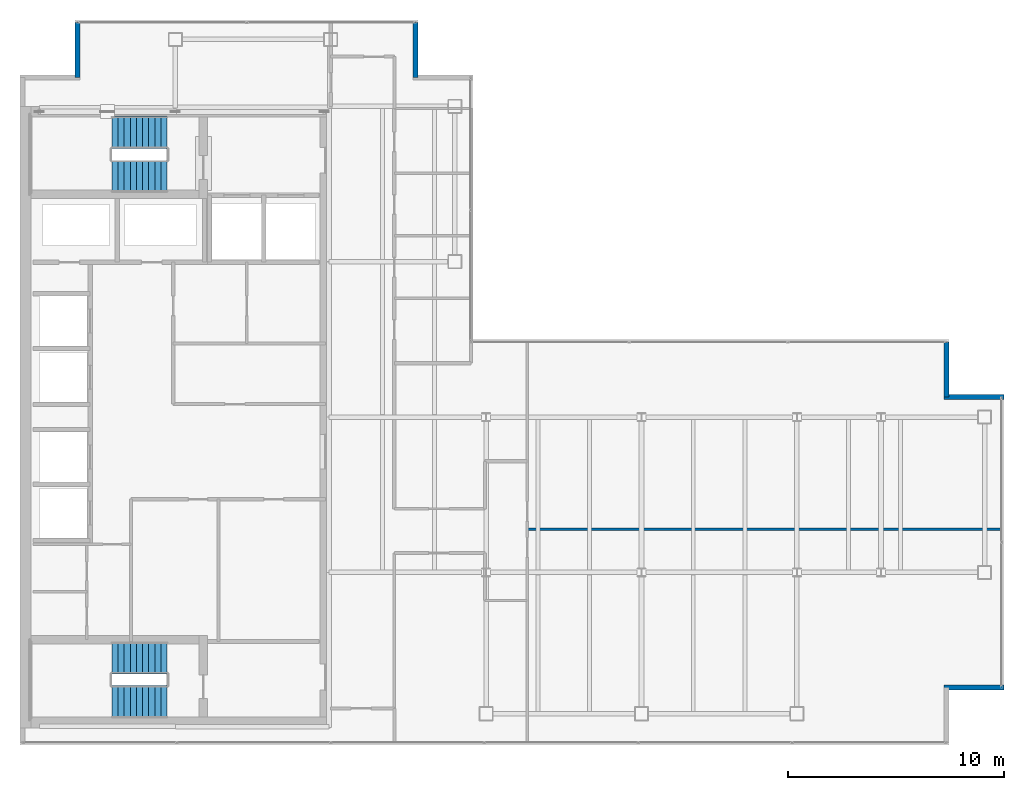
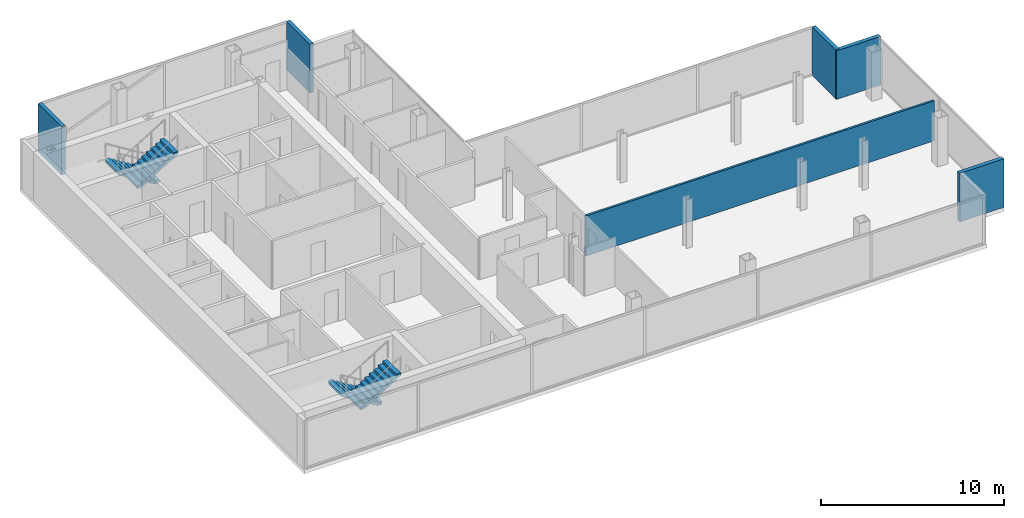
# One storey, part 22 of 23: 6 walls, 4 stair flights, 2 elements without a shape of their own.
"""IFC4 building model written with IfcOpenShell, lengths in metres."""

from ifc_helpers import new_model, si_unit, direction, frame, frame_2d, origin, place, context, subcontext, project, spatial, polyline, rectangle, outline, extrude, material, layer, layer_set, type_object, element, aggregate, save


model = new_model("IFC4")

# Units and contexts
model_context = context("Model", 3, precision=1e-05, world=origin(), true_north=direction((0.0, 1.0)))
body_context = subcontext(model_context, "Body", "Model", "MODEL_VIEW")
ifc_project = project(units=[si_unit("LENGTHUNIT", "METRE"), si_unit("AREAUNIT", "SQUARE_METRE"), si_unit("VOLUMEUNIT", "CUBIC_METRE"), si_unit("PLANEANGLEUNIT", "RADIAN"), si_unit("MASSUNIT", "GRAM", prefix="KILO")], contexts=[model_context])

# Site, building, storey
site_placement = place(None, origin())
site = spatial("IfcSite", under=ifc_project, at=site_placement, CompositionType="ELEMENT")
building_placement = place(site_placement, origin())
building = spatial("IfcBuilding", under=site, at=building_placement, Name="Cobrela Telecom Tower", CompositionType="ELEMENT")
storey_placement = place(building_placement, frame((0.0, 0.0, 258.64990234375)))
storey = spatial("IfcBuildingStorey", under=building, at=storey_placement, Name="L67", CompositionType="ELEMENT", Elevation=258.64990234375)

# Walls
ifc_material_1 = material(Name="Concrete C40/50", Category="concrete")
ifc_layer_1 = layer(ifc_material_1, 0.239990234375)
ifc_layer_set_1 = layer_set([ifc_layer_1], Name="Concrete C40/50")
wall_type_1 = type_object("IfcWallType", Name="WALL-EXT-300", PredefinedType="STANDARD", material=ifc_layer_set_1)
for number, where, z_axis, x_axis, name in (
    (1, (2.669921875, 37.330078125, 0.0), (0.0, 0.0, 1.0), (0.0, 1.0, 0.0), "L67 Insulated Facade Wall 04"),
    (2, (18.330078125, 39.8798828125, 0.0), (0.0, 0.0, 1.0), (0.0, -1.0, 0.0), "L67 Insulated Facade Wall 06"),
):
    element("IfcWall", number, at=place(storey_placement, frame(where, z_axis=z_axis, x_axis=x_axis)), inside=storey, type_object=wall_type_1, Name=name, PredefinedType="STANDARD", context=body_context, shape_type="SweptSolid", body=[
        extrude(rectangle(XDim=2.5498046875, YDim=0.239990234375, at=frame_2d((1.27490234375, 0.0))), origin(), (0.0, 0.0, 1.0), 3.239990234375),
    ])
wall_1_placement = place(storey_placement, frame((42.929931640625, 25.080078125, 0.0), z_axis=(0.0, 0.0, 1.0), x_axis=(0.0, -1.0, 0.0)))
element("IfcWall", 3, at=wall_1_placement, inside=storey, type_object=wall_type_1, Name="L67 Insulated Facade Wall 10", PredefinedType="STANDARD", context=body_context, shape_type="SweptSolid", body=[
    extrude(rectangle(XDim=2.550048828125, YDim=0.239990234375, at=frame_2d((1.27490234375, 0.0))), origin(), (0.0, 0.0, 1.0), 3.239990234375),
])
for number, where, z_axis, x_axis, name in (
    (4, (42.81005859375, 22.530029296875, 0.0), (0.0, 0.0, 1.0), (1.0, 0.0, 0.0), "L67 Insulated Facade Wall 11"),
    (5, (45.60009765625, 9.070068359375, 0.0), (0.0, 0.0, 1.0), (-1.0, 0.0, 0.0), "L67 Insulated Facade Wall 13"),
):
    element("IfcWall", number, at=place(storey_placement, frame(where, z_axis=z_axis, x_axis=x_axis)), inside=storey, type_object=wall_type_1, Name=name, PredefinedType="STANDARD", context=body_context, shape_type="SweptSolid", body=[
        extrude(rectangle(XDim=2.7900390625, YDim=0.239990234375, at=frame_2d((1.39501953125, 0.0))), origin(), (0.0, 0.0, 1.0), 3.239990234375),
    ])
ifc_material_2 = material(Name="Fire-Rated Gypsum Plasterboard")
ifc_layer_2 = layer(ifc_material_2, 0.135009765625)
ifc_layer_set_2 = layer_set([ifc_layer_2], Name="Fire-Rated Gypsum Plasterboard")
wall_type_2 = type_object("IfcWallType", Name="WALL-PART-135", PredefinedType="PARTITIONING", material=ifc_layer_set_2)
wall_2_placement = place(storey_placement, frame((23.5, 16.39990234375, 0.0), z_axis=(0.0, 0.0, 1.0), x_axis=(1.0, 0.0, 0.0)))
element("IfcWall", 6, at=wall_2_placement, inside=storey, type_object=wall_type_2, Name="L67 Interior Partition W-FE-H", PredefinedType="PARTITIONING", context=body_context, shape_type="SweptSolid", body=[
    extrude(rectangle(XDim=21.97998046875, YDim=0.135009765625, at=frame_2d((10.989990234375, 0.0))), origin(), (0.0, 0.0, 1.0), 2.676025390625),
])

# Stair, stair flights
stair_type = type_object("IfcStairType", Name="STAIR-CORE", PredefinedType="HALF_TURN_STAIR", material=ifc_material_1)
stair_1_placement = place(storey_placement, origin())
stair_1 = element("IfcStair", 7, at=stair_1_placement, inside=storey, type_object=stair_type, Name="L67 Smokeproof Exit Stair ST1", PredefinedType="HALF_TURN_STAIR")
stair_flight_type = type_object("IfcStairFlightType", Name="FLIGHT-CORE", PredefinedType="STRAIGHT", material=ifc_material_1)
stair_flight_1_placement = place(storey_placement, frame((6.820068359375, 34.800048828125, 0.0), z_axis=(0.0, 0.0, 1.0), x_axis=(-1.0, 0.0, 0.0)))
stair_flight_1 = element("IfcStairFlight", 8, at=stair_flight_1_placement, type_object=stair_flight_type, Name="ST1 flight 1", NumberOfRisers=10, NumberOfTreads=9, PredefinedType="STRAIGHT", RiserHeight=0.175, TreadLength=0.285, context=body_context, shape_type="SweptSolid", body=[
    extrude(outline(polyline([(0.0, 0.0), (0.0, 0.175048828125), (0.284912109375, 0.175048828125), (0.284912109375, 0.35009765625), (0.570068359375, 0.35009765625), (0.570068359375, 0.52490234375), (0.85498046875, 0.52490234375), (0.85498046875, 0.699951171875), (1.139892578125, 0.699951171875), (1.139892578125, 0.875), (1.425048828125, 0.875), (1.425048828125, 1.050048828125), (1.7099609375, 1.050048828125), (1.7099609375, 1.22509765625), (1.9951171875, 1.22509765625), (1.9951171875, 1.39990234375), (2.280029296875, 1.39990234375), (2.280029296875, 1.574951171875), (2.56494140625, 1.574951171875), (2.56494140625, 1.75), (2.56494140625, 1.399169921875), (0.286376953125, 0.0), (0.0, 0.0)])), frame((0.0, 0.75, 0.0), z_axis=(0.0, -1.0, 0.0), x_axis=(1.0, 0.0, 0.0)), (0.0, 0.0, 1.0), 1.5),
])
stair_flight_2_placement = place(storey_placement, frame((4.2548828125, 32.75, 1.75), z_axis=(0.0, 0.0, 1.0), x_axis=(1.0, 0.0, 0.0)))
stair_flight_2 = element("IfcStairFlight", 9, at=stair_flight_2_placement, type_object=stair_flight_type, Name="ST1 flight 2", NumberOfRisers=10, NumberOfTreads=9, PredefinedType="STRAIGHT", RiserHeight=0.175, TreadLength=0.285, context=body_context, shape_type="SweptSolid", body=[
    extrude(outline(polyline([(0.0, 0.0), (0.0, 0.175048828125), (0.284912109375, 0.175048828125), (0.284912109375, 0.35009765625), (0.570068359375, 0.35009765625), (0.570068359375, 0.52490234375), (0.85498046875, 0.52490234375), (0.85498046875, 0.699951171875), (1.139892578125, 0.699951171875), (1.139892578125, 0.875), (1.425048828125, 0.875), (1.425048828125, 1.050048828125), (1.7099609375, 1.050048828125), (1.7099609375, 1.22509765625), (1.9951171875, 1.22509765625), (1.9951171875, 1.39990234375), (2.280029296875, 1.39990234375), (2.280029296875, 1.574951171875), (2.56494140625, 1.574951171875), (2.56494140625, 1.75), (2.56494140625, 1.399169921875), (0.286376953125, 0.0), (0.0, 0.0)])), frame((0.0, 0.75, 0.0), z_axis=(0.0, -1.0, 0.0), x_axis=(1.0, 0.0, 0.0)), (0.0, 0.0, 1.0), 1.5),
])
aggregate(stair_1, [stair_flight_1, stair_flight_2])

stair_2_placement = place(storey_placement, origin())
stair_2 = element("IfcStair", 10, at=stair_2_placement, inside=storey, type_object=stair_type, Name="L67 Smokeproof Exit Stair ST2", PredefinedType="HALF_TURN_STAIR")
stair_flight_3_placement = place(storey_placement, frame((6.820068359375, 10.449951171875, 0.0), z_axis=(0.0, 0.0, 1.0), x_axis=(-1.0, 0.0, 0.0)))
stair_flight_3 = element("IfcStairFlight", 11, at=stair_flight_3_placement, type_object=stair_flight_type, Name="ST2 flight 1", NumberOfRisers=10, NumberOfTreads=9, PredefinedType="STRAIGHT", RiserHeight=0.175, TreadLength=0.285, context=body_context, shape_type="SweptSolid", body=[
    extrude(outline(polyline([(0.0, 0.0), (0.0, 0.175048828125), (0.284912109375, 0.175048828125), (0.284912109375, 0.35009765625), (0.570068359375, 0.35009765625), (0.570068359375, 0.52490234375), (0.85498046875, 0.52490234375), (0.85498046875, 0.699951171875), (1.139892578125, 0.699951171875), (1.139892578125, 0.875), (1.425048828125, 0.875), (1.425048828125, 1.050048828125), (1.7099609375, 1.050048828125), (1.7099609375, 1.22509765625), (1.9951171875, 1.22509765625), (1.9951171875, 1.39990234375), (2.280029296875, 1.39990234375), (2.280029296875, 1.574951171875), (2.56494140625, 1.574951171875), (2.56494140625, 1.75), (2.56494140625, 1.399169921875), (0.286376953125, 0.0), (0.0, 0.0)])), frame((0.0, 0.75, 0.0), z_axis=(0.0, -1.0, 0.0), x_axis=(1.0, 0.0, 0.0)), (0.0, 0.0, 1.0), 1.5),
])
stair_flight_4_placement = place(storey_placement, frame((4.2548828125, 8.39990234375, 1.75), z_axis=(0.0, 0.0, 1.0), x_axis=(1.0, 0.0, 0.0)))
stair_flight_4 = element("IfcStairFlight", 12, at=stair_flight_4_placement, type_object=stair_flight_type, Name="ST2 flight 2", NumberOfRisers=10, NumberOfTreads=9, PredefinedType="STRAIGHT", RiserHeight=0.175, TreadLength=0.285, context=body_context, shape_type="SweptSolid", body=[
    extrude(outline(polyline([(0.0, 0.0), (0.0, 0.175048828125), (0.284912109375, 0.175048828125), (0.284912109375, 0.35009765625), (0.570068359375, 0.35009765625), (0.570068359375, 0.52490234375), (0.85498046875, 0.52490234375), (0.85498046875, 0.699951171875), (1.139892578125, 0.699951171875), (1.139892578125, 0.875), (1.425048828125, 0.875), (1.425048828125, 1.050048828125), (1.7099609375, 1.050048828125), (1.7099609375, 1.22509765625), (1.9951171875, 1.22509765625), (1.9951171875, 1.39990234375), (2.280029296875, 1.39990234375), (2.280029296875, 1.574951171875), (2.56494140625, 1.574951171875), (2.56494140625, 1.75), (2.56494140625, 1.399169921875), (0.286376953125, 0.0), (0.0, 0.0)])), frame((0.0, 0.75, 0.0), z_axis=(0.0, -1.0, 0.0), x_axis=(1.0, 0.0, 0.0)), (0.0, 0.0, 1.0), 1.5),
])
aggregate(stair_2, [stair_flight_3, stair_flight_4])

save(model, "model.ifc")
